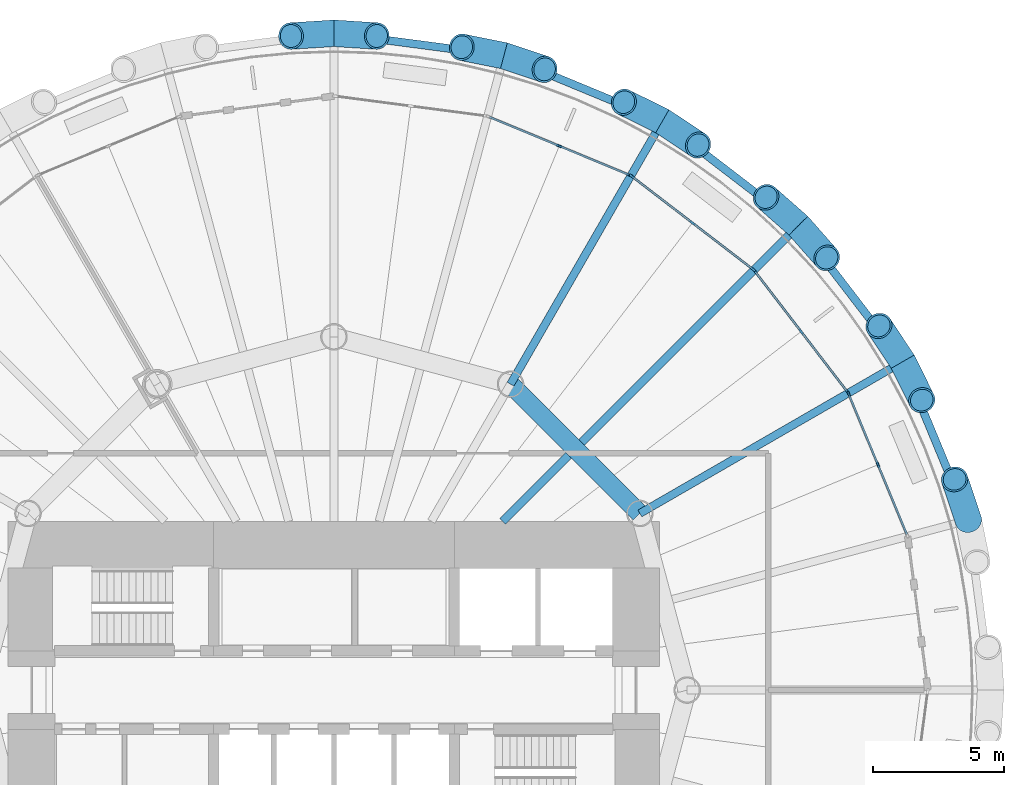
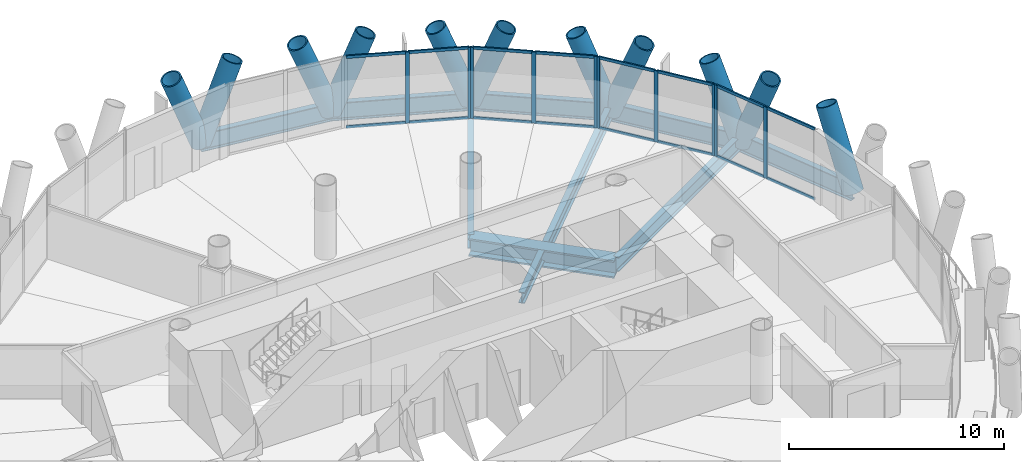
# One storey, part 6 of 14: 37 members, 10 beams, 4 elements without a shape of their own.
"""IFC4 building model written with IfcOpenShell, lengths in metres."""

from ifc_helpers import new_model, si_unit, direction, frame, origin, origin_2d, place, context, subcontext, project, spatial, rectangle, hollow_circle, i_section, extrude, material, material_profile, profile_set, type_object, element, aggregate, save


model = new_model("IFC4")

# Units and contexts
model_context = context("Model", 3, precision=1e-05, world=origin(), true_north=direction((0.0, 1.0)))
body_context = subcontext(model_context, "Body", "Model", "MODEL_VIEW")
ifc_project = project(units=[si_unit("LENGTHUNIT", "METRE"), si_unit("AREAUNIT", "SQUARE_METRE"), si_unit("VOLUMEUNIT", "CUBIC_METRE"), si_unit("PLANEANGLEUNIT", "RADIAN"), si_unit("MASSUNIT", "GRAM", prefix="KILO")], contexts=[model_context])

# Site, building, storey
site_placement = place(None, origin())
site = spatial("IfcSite", under=ifc_project, at=site_placement, CompositionType="ELEMENT")
building_placement = place(site_placement, origin())
building = spatial("IfcBuilding", under=site, at=building_placement, Name="Qaws Media Tower", CompositionType="ELEMENT")
storey_placement = place(building_placement, frame((0.0, 0.0, 126.800048828125)))
storey = spatial("IfcBuildingStorey", under=building, at=storey_placement, Name="L28", CompositionType="ELEMENT", Elevation=126.800048828125)

# Curtain wall, members
ifc_material_1 = material(Name="Aluminium and clear glass", Category="aluminium")
curtain_wall_type = type_object("IfcCurtainWallType", Name="Unitised curtain wall CW-B", PredefinedType="NOTDEFINED", material=ifc_material_1)
curtain_wall_1_placement = place(storey_placement, origin())
curtain_wall_1 = element("IfcCurtainWall", 1, at=curtain_wall_1_placement, inside=storey, type_object=curtain_wall_type, Name="CWB curtain wall L28-02", PredefinedType="NOTDEFINED")
ifc_material_2 = material(Name="Aluminium mullion", Category="aluminium")
ifc_material_profile_1 = material_profile(ifc_material_2, rectangle(XDim=0.080078125, YDim=0.199951171875, at=origin_2d()), Name="80x200")
ifc_profile_set_1 = profile_set([ifc_material_profile_1], Name="Aluminium mullion")
member_type_1 = type_object("IfcMemberType", Name="Curtain wall mullion 80x200", PredefinedType="MULLION", material=ifc_profile_set_1)
member_1_placement = place(storey_placement, frame((80.792724609375, 58.612548828125, 0.0), z_axis=(0.0, 0.0, 1.0), x_axis=(-0.923879575765, -0.382683327941, 0.0)))
member_1 = element("IfcMember", 2, at=member_1_placement, type_object=member_type_1, Name="CWB mullion 2", PredefinedType="MULLION", context=body_context, shape_type="SweptSolid", body=[
    extrude(rectangle(XDim=0.080078125, YDim=0.199951171875, at=origin_2d()), origin(), (0.0, 0.0, 1.0), 4.0400390625),
])
member_2_placement = place(storey_placement, frame((79.674072265625, 61.31298828125, 0.0), z_axis=(0.0, 0.0, 1.0), x_axis=(-0.923879575765, -0.382683327941, 0.0)))
member_2 = element("IfcMember", 3, at=member_2_placement, type_object=member_type_1, Name="CWB mullion 3", PredefinedType="MULLION", context=body_context, shape_type="SweptSolid", body=[
    extrude(rectangle(XDim=0.080078125, YDim=0.199951171875, at=origin_2d()), origin(), (0.0, 0.0, 1.0), 4.0400390625),
])

curtain_wall_2_placement = place(storey_placement, origin())
curtain_wall_2 = element("IfcCurtainWall", 4, at=curtain_wall_2_placement, inside=storey, type_object=curtain_wall_type, Name="CWB curtain wall L28-03", PredefinedType="NOTDEFINED")
member_3_placement = place(storey_placement, frame((79.634521484375, 61.3818359375, 0.0), z_axis=(0.0, 0.0, 1.0), x_axis=(-0.793353322718, -0.608761451911, 0.0)))
member_3 = element("IfcMember", 5, at=member_3_placement, type_object=member_type_1, Name="CWB mullion 1", PredefinedType="MULLION", context=body_context, shape_type="SweptSolid", body=[
    extrude(rectangle(XDim=0.080078125, YDim=0.199951171875, at=origin_2d()), origin(), (0.0, 0.0, 1.0), 4.0400390625),
])
member_4_placement = place(storey_placement, frame((77.85498046875, 63.70068359375, 0.0), z_axis=(0.0, 0.0, 1.0), x_axis=(-0.793353322718, -0.608761451911, 0.0)))
member_4 = element("IfcMember", 6, at=member_4_placement, type_object=member_type_1, Name="CWB mullion 2", PredefinedType="MULLION", context=body_context, shape_type="SweptSolid", body=[
    extrude(rectangle(XDim=0.080078125, YDim=0.199951171875, at=origin_2d()), origin(), (0.0, 0.0, 1.0), 4.0400390625),
])
member_5_placement = place(storey_placement, frame((76.07568359375, 66.01953125, 0.0), z_axis=(0.0, 0.0, 1.0), x_axis=(-0.793353322718, -0.608761451911, 0.0)))
member_5 = element("IfcMember", 7, at=member_5_placement, type_object=member_type_1, Name="CWB mullion 3", PredefinedType="MULLION", context=body_context, shape_type="SweptSolid", body=[
    extrude(rectangle(XDim=0.080078125, YDim=0.199951171875, at=origin_2d()), origin(), (0.0, 0.0, 1.0), 4.0400390625),
])

curtain_wall_3_placement = place(storey_placement, origin())
curtain_wall_3 = element("IfcCurtainWall", 8, at=curtain_wall_3_placement, inside=storey, type_object=curtain_wall_type, Name="CWB curtain wall L28-04", PredefinedType="NOTDEFINED")
member_6_placement = place(storey_placement, frame((76.01953125, 66.07568359375, 0.0), z_axis=(0.0, 0.0, 1.0), x_axis=(-0.608761451911, -0.793353322718, 0.0)))
member_6 = element("IfcMember", 9, at=member_6_placement, type_object=member_type_1, Name="CWB mullion 1", PredefinedType="MULLION", context=body_context, shape_type="SweptSolid", body=[
    extrude(rectangle(XDim=0.080078125, YDim=0.199951171875, at=origin_2d()), origin(), (0.0, 0.0, 1.0), 4.0400390625),
])
member_7_placement = place(storey_placement, frame((73.70068359375, 67.85498046875, 0.0), z_axis=(0.0, 0.0, 1.0), x_axis=(-0.608761451911, -0.793353322718, 0.0)))
member_7 = element("IfcMember", 10, at=member_7_placement, type_object=member_type_1, Name="CWB mullion 2", PredefinedType="MULLION", context=body_context, shape_type="SweptSolid", body=[
    extrude(rectangle(XDim=0.080078125, YDim=0.199951171875, at=origin_2d()), origin(), (0.0, 0.0, 1.0), 4.0400390625),
])
member_8_placement = place(storey_placement, frame((71.3818359375, 69.634521484375, 0.0), z_axis=(0.0, 0.0, 1.0), x_axis=(-0.608761451911, -0.793353322718, 0.0)))
member_8 = element("IfcMember", 11, at=member_8_placement, type_object=member_type_1, Name="CWB mullion 3", PredefinedType="MULLION", context=body_context, shape_type="SweptSolid", body=[
    extrude(rectangle(XDim=0.080078125, YDim=0.199951171875, at=origin_2d()), origin(), (0.0, 0.0, 1.0), 4.0400390625),
])

curtain_wall_4_placement = place(storey_placement, origin())
curtain_wall_4 = element("IfcCurtainWall", 12, at=curtain_wall_4_placement, inside=storey, type_object=curtain_wall_type, Name="CWB curtain wall L28-05", PredefinedType="NOTDEFINED")
member_9_placement = place(storey_placement, frame((71.31298828125, 69.674072265625, 0.0), z_axis=(0.0, 0.0, 1.0), x_axis=(-0.382683327941, -0.923879575765, 0.0)))
member_9 = element("IfcMember", 13, at=member_9_placement, type_object=member_type_1, Name="CWB mullion 1", PredefinedType="MULLION", context=body_context, shape_type="SweptSolid", body=[
    extrude(rectangle(XDim=0.080078125, YDim=0.199951171875, at=origin_2d()), origin(), (0.0, 0.0, 1.0), 4.0400390625),
])
member_10_placement = place(storey_placement, frame((68.612548828125, 70.792724609375, 0.0), z_axis=(0.0, 0.0, 1.0), x_axis=(-0.382683327941, -0.923879575765, 0.0)))
member_10 = element("IfcMember", 14, at=member_10_placement, type_object=member_type_1, Name="CWB mullion 2", PredefinedType="MULLION", context=body_context, shape_type="SweptSolid", body=[
    extrude(rectangle(XDim=0.080078125, YDim=0.199951171875, at=origin_2d()), origin(), (0.0, 0.0, 1.0), 4.0400390625),
])

# Member
ifc_material_3 = material(Name="Aluminium transom", Category="aluminium")
ifc_material_profile_2 = material_profile(ifc_material_3, rectangle(XDim=0.080078125, YDim=0.159912109375, at=origin_2d()), Name="80x160")
ifc_profile_set_2 = profile_set([ifc_material_profile_2], Name="Aluminium transom")
member_type_2 = type_object("IfcMemberType", Name="Curtain wall transom 80x160", PredefinedType="USERDEFINED", material=ifc_profile_set_2)
member_11_placement = place(storey_placement, frame((81.89599609375, 55.94921875, 0.0400390625), z_axis=(-0.382748704437, 0.923852493232, 0.0), x_axis=(-0.923852493232, -0.382748704437, 0.0)))
member_11 = element("IfcMember", 15, at=member_11_placement, type_object=member_type_2, Name="CWB transom 1.1", ObjectType="TRANSOM", PredefinedType="USERDEFINED", context=body_context, shape_type="SweptSolid", body=[
    extrude(rectangle(XDim=0.080078125, YDim=0.159912109375, at=origin_2d()), origin(), (0.0, 0.0, 1.0), 2.843017578125),
])

member_12_placement = place(storey_placement, frame((81.89599609375, 55.94921875, 4.0), z_axis=(-0.382748704437, 0.923852493232, 0.0), x_axis=(-0.923852493232, -0.382748704437, 0.0)))
member_12 = element("IfcMember", 16, at=member_12_placement, type_object=member_type_2, Name="CWB transom 1.2", ObjectType="TRANSOM", PredefinedType="USERDEFINED", context=body_context, shape_type="SweptSolid", body=[
    extrude(rectangle(XDim=0.080078125, YDim=0.159912109375, at=origin_2d()), origin(), (0.0, 0.0, 1.0), 2.843017578125),
])

member_13_placement = place(storey_placement, frame((80.77734375, 58.649658203125, 0.0400390625), z_axis=(-0.382675405483, 0.923882857314, 0.0), x_axis=(-0.923882857314, -0.382675405483, 0.0)))
member_13 = element("IfcMember", 17, at=member_13_placement, type_object=member_type_2, Name="CWB transom 2.1", ObjectType="TRANSOM", PredefinedType="USERDEFINED", context=body_context, shape_type="SweptSolid", body=[
    extrude(rectangle(XDim=0.080078125, YDim=0.159912109375, at=origin_2d()), origin(), (0.0, 0.0, 1.0), 2.8427734375),
])

member_14_placement = place(storey_placement, frame((80.77734375, 58.649658203125, 4.0), z_axis=(-0.382675405483, 0.923882857314, 0.0), x_axis=(-0.923882857314, -0.382675405483, 0.0)))
member_14 = element("IfcMember", 18, at=member_14_placement, type_object=member_type_2, Name="CWB transom 2.2", ObjectType="TRANSOM", PredefinedType="USERDEFINED", context=body_context, shape_type="SweptSolid", body=[
    extrude(rectangle(XDim=0.080078125, YDim=0.159912109375, at=origin_2d()), origin(), (0.0, 0.0, 1.0), 2.8427734375),
])

aggregate(curtain_wall_1, [member_1, member_2, member_11, member_12, member_13, member_14])

member_15_placement = place(storey_placement, frame((79.610107421875, 61.41357421875, 0.0400390625), z_axis=(-0.608784848689, 0.79333536919, 0.0), x_axis=(-0.79333536919, -0.608784848689, 0.0)))
member_15 = element("IfcMember", 19, at=member_15_placement, type_object=member_type_2, Name="CWB transom 1.1", ObjectType="TRANSOM", PredefinedType="USERDEFINED", context=body_context, shape_type="SweptSolid", body=[
    extrude(rectangle(XDim=0.080078125, YDim=0.159912109375, at=origin_2d()), origin(), (0.0, 0.0, 1.0), 2.843017578125),
])

member_16_placement = place(storey_placement, frame((79.610107421875, 61.41357421875, 4.0), z_axis=(-0.608784848689, 0.79333536919, 0.0), x_axis=(-0.79333536919, -0.608784848689, 0.0)))
member_16 = element("IfcMember", 20, at=member_16_placement, type_object=member_type_2, Name="CWB transom 1.2", ObjectType="TRANSOM", PredefinedType="USERDEFINED", context=body_context, shape_type="SweptSolid", body=[
    extrude(rectangle(XDim=0.080078125, YDim=0.159912109375, at=origin_2d()), origin(), (0.0, 0.0, 1.0), 2.843017578125),
])

member_17_placement = place(storey_placement, frame((77.830810546875, 63.732421875, 0.0400390625), z_axis=(-0.608784848689, 0.79333536919, 0.0), x_axis=(-0.79333536919, -0.608784848689, 0.0)))
member_17 = element("IfcMember", 21, at=member_17_placement, type_object=member_type_2, Name="CWB transom 2.1", ObjectType="TRANSOM", PredefinedType="USERDEFINED", context=body_context, shape_type="SweptSolid", body=[
    extrude(rectangle(XDim=0.080078125, YDim=0.159912109375, at=origin_2d()), origin(), (0.0, 0.0, 1.0), 2.843017578125),
])

member_18_placement = place(storey_placement, frame((77.830810546875, 63.732421875, 4.0), z_axis=(-0.608784848689, 0.79333536919, 0.0), x_axis=(-0.79333536919, -0.608784848689, 0.0)))
member_18 = element("IfcMember", 22, at=member_18_placement, type_object=member_type_2, Name="CWB transom 2.2", ObjectType="TRANSOM", PredefinedType="USERDEFINED", context=body_context, shape_type="SweptSolid", body=[
    extrude(rectangle(XDim=0.080078125, YDim=0.159912109375, at=origin_2d()), origin(), (0.0, 0.0, 1.0), 2.843017578125),
])

aggregate(curtain_wall_2, [member_3, member_4, member_5, member_15, member_16, member_17, member_18])

member_19_placement = place(storey_placement, frame((75.98779296875, 66.10009765625, 0.0400390625), z_axis=(-0.79333536919, 0.608784848689, 0.0), x_axis=(-0.608784848689, -0.79333536919, 0.0)))
member_19 = element("IfcMember", 23, at=member_19_placement, type_object=member_type_2, Name="CWB transom 1.1", ObjectType="TRANSOM", PredefinedType="USERDEFINED", context=body_context, shape_type="SweptSolid", body=[
    extrude(rectangle(XDim=0.080078125, YDim=0.159912109375, at=origin_2d()), origin(), (0.0, 0.0, 1.0), 2.843017578125),
])

member_20_placement = place(storey_placement, frame((75.98779296875, 66.10009765625, 4.0), z_axis=(-0.79333536919, 0.608784848689, 0.0), x_axis=(-0.608784848689, -0.79333536919, 0.0)))
member_20 = element("IfcMember", 24, at=member_20_placement, type_object=member_type_2, Name="CWB transom 1.2", ObjectType="TRANSOM", PredefinedType="USERDEFINED", context=body_context, shape_type="SweptSolid", body=[
    extrude(rectangle(XDim=0.080078125, YDim=0.159912109375, at=origin_2d()), origin(), (0.0, 0.0, 1.0), 2.843017578125),
])

member_21_placement = place(storey_placement, frame((73.6689453125, 67.87939453125, 0.0400390625), z_axis=(-0.79333536919, 0.608784848689, 0.0), x_axis=(-0.608784848689, -0.79333536919, 0.0)))
member_21 = element("IfcMember", 25, at=member_21_placement, type_object=member_type_2, Name="CWB transom 2.1", ObjectType="TRANSOM", PredefinedType="USERDEFINED", context=body_context, shape_type="SweptSolid", body=[
    extrude(rectangle(XDim=0.080078125, YDim=0.159912109375, at=origin_2d()), origin(), (0.0, 0.0, 1.0), 2.843017578125),
])

member_22_placement = place(storey_placement, frame((73.6689453125, 67.87939453125, 4.0), z_axis=(-0.79333536919, 0.608784848689, 0.0), x_axis=(-0.608784848689, -0.79333536919, 0.0)))
member_22 = element("IfcMember", 26, at=member_22_placement, type_object=member_type_2, Name="CWB transom 2.2", ObjectType="TRANSOM", PredefinedType="USERDEFINED", context=body_context, shape_type="SweptSolid", body=[
    extrude(rectangle(XDim=0.080078125, YDim=0.159912109375, at=origin_2d()), origin(), (0.0, 0.0, 1.0), 2.843017578125),
])

aggregate(curtain_wall_3, [member_6, member_7, member_8, member_19, member_20, member_21, member_22])

member_23_placement = place(storey_placement, frame((71.276123046875, 69.689453125, 0.0400390625), z_axis=(-0.923882857314, 0.382675405483, 0.0), x_axis=(-0.382675405483, -0.923882857314, 0.0)))
member_23 = element("IfcMember", 27, at=member_23_placement, type_object=member_type_2, Name="CWB transom 1.1", ObjectType="TRANSOM", PredefinedType="USERDEFINED", context=body_context, shape_type="SweptSolid", body=[
    extrude(rectangle(XDim=0.080078125, YDim=0.159912109375, at=origin_2d()), origin(), (0.0, 0.0, 1.0), 2.8427734375),
])

member_24_placement = place(storey_placement, frame((71.276123046875, 69.689453125, 4.0), z_axis=(-0.923882857314, 0.382675405483, 0.0), x_axis=(-0.382675405483, -0.923882857314, 0.0)))
member_24 = element("IfcMember", 28, at=member_24_placement, type_object=member_type_2, Name="CWB transom 1.2", ObjectType="TRANSOM", PredefinedType="USERDEFINED", context=body_context, shape_type="SweptSolid", body=[
    extrude(rectangle(XDim=0.080078125, YDim=0.159912109375, at=origin_2d()), origin(), (0.0, 0.0, 1.0), 2.8427734375),
])

member_25_placement = place(storey_placement, frame((68.57568359375, 70.807861328125, 0.0400390625), z_axis=(-0.923852493232, 0.382748704437, 0.0), x_axis=(-0.382748704437, -0.923852493232, 0.0)))
member_25 = element("IfcMember", 29, at=member_25_placement, type_object=member_type_2, Name="CWB transom 2.1", ObjectType="TRANSOM", PredefinedType="USERDEFINED", context=body_context, shape_type="SweptSolid", body=[
    extrude(rectangle(XDim=0.080078125, YDim=0.159912109375, at=origin_2d()), origin(), (0.0, 0.0, 1.0), 2.843017578125),
])

member_26_placement = place(storey_placement, frame((68.57568359375, 70.807861328125, 4.0), z_axis=(-0.923852493232, 0.382748704437, 0.0), x_axis=(-0.382748704437, -0.923852493232, 0.0)))
member_26 = element("IfcMember", 30, at=member_26_placement, type_object=member_type_2, Name="CWB transom 2.2", ObjectType="TRANSOM", PredefinedType="USERDEFINED", context=body_context, shape_type="SweptSolid", body=[
    extrude(rectangle(XDim=0.080078125, YDim=0.159912109375, at=origin_2d()), origin(), (0.0, 0.0, 1.0), 2.843017578125),
])

aggregate(curtain_wall_4, [member_9, member_10, member_23, member_24, member_25, member_26])

# Members
ifc_material_4 = material(Name="Steel S460", Category="steel")
ifc_material_profile_3 = material_profile(ifc_material_4, hollow_circle(Radius=0.508056640625, WallThickness=0.070068359375, at=origin_2d()), Name="CHS 1016x70")
ifc_profile_set_3 = profile_set([ifc_material_profile_3], Name="Steel S460")
member_type_3 = type_object("IfcMemberType", Name="Diagrid member CHS 1016x70", PredefinedType="USERDEFINED", material=ifc_profile_set_3)
for number, where, z_axis, x_axis, name in (
    (31, (84.24462890625, 56.496337890625, -0.6640625), (-0.11618670921, 0.34498681784, 0.931388610688), (-0.947697120321, -0.319171064063, 0.0), "DG3 diagrid L28 A02"),
    (32, (81.7373046875, 62.550048828125, -0.6640625), (-0.201566616131, 0.303134967423, 0.931386112623), (-0.832713242905, -0.553704483539, 0.0), "DG3 diagrid L28 A03"),
    (33, (81.7373046875, 62.550048828125, -0.6640625), (0.161718616773, -0.326144274336, 0.931384454083), (0.895909478639, 0.444236655494, 0.0), "DG3 diagrid L28 B03"),
    (34, (77.748291015625, 67.748291015625, -0.6640625), (-0.273140693896, 0.240656171332, 0.931385402794), (-0.661080385441, -0.750315083138, 0.0), "DG3 diagrid L28 A04"),
    (35, (77.748291015625, 67.748291015625, -0.6640625), (0.240656171332, -0.273140693896, 0.931385402794), (0.750315083138, 0.661080385441, 0.0), "DG3 diagrid L28 B04"),
    (36, (72.550048828125, 71.7373046875, -0.6640625), (-0.326144274336, 0.161718616773, 0.931384454083), (-0.444236655494, -0.895909478639, 0.0), "DG3 diagrid L28 A05"),
    (37, (72.550048828125, 71.7373046875, -0.6640625), (0.303134967423, -0.201566616131, 0.931386112623), (0.553704483539, 0.832713242905, 0.0), "DG3 diagrid L28 B05"),
    (38, (66.496337890625, 74.24462890625, -0.6640625), (-0.356893826491, 0.071844373142, 0.931378109395), (-0.197345745425, -0.980333951652, 0.0), "DG3 diagrid L28 A06"),
    (39, (66.496337890625, 74.24462890625, -0.6640625), (0.34498681784, -0.11618670921, 0.931388610688), (0.319171064063, 0.947697120321, 0.0), "DG3 diagrid L28 B06"),
):
    element("IfcMember", number, at=place(storey_placement, frame(where, z_axis=z_axis, x_axis=x_axis)), inside=storey, type_object=member_type_3, Name=name, ObjectType="DIAGRID", PredefinedType="USERDEFINED", context=body_context, shape_type="SweptSolid", body=[
        extrude(hollow_circle(Radius=0.508056640625, WallThickness=0.070068359375, at=origin_2d()), origin(), (0.0, 0.0, 1.0), 4.50927734375),
    ])
for number, where, z_axis, x_axis, name in (
    (40, (60.0, 75.10009765625, -0.6640625), (-0.363335073708, -0.023009597128, 0.931374351512), (0.063202252143, -0.99800073914, 0.0), "DG3 diagrid L28 A07"),
    (41, (60.0, 75.10009765625, -0.6640625), (0.363335073708, -0.023009597128, 0.931374351512), (0.063202252143, 0.99800073914, 0.0), "DG3 diagrid L28 B07"),
):
    element("IfcMember", number, at=place(storey_placement, frame(where, z_axis=z_axis, x_axis=x_axis)), inside=storey, type_object=member_type_3, Name=name, ObjectType="DIAGRID", PredefinedType="USERDEFINED", context=body_context, shape_type="SweptSolid", body=[
        extrude(hollow_circle(Radius=0.508056640625, WallThickness=0.070068359375, at=origin_2d()), origin(), (0.0, 0.0, 1.0), 4.509521484375),
    ])

# Beams
ifc_material_5 = material(Name="Steel S460", Category="steel")
ifc_material_profile_4 = material_profile(ifc_material_5, i_section(OverallWidth=0.302001953125, OverallDepth=1.008056640625, WebThickness=0.02099609375, FlangeThickness=0.0400390625, FilletRadius=0.030029296875, at=origin_2d()), Name="HE 1000 M")
ifc_profile_set_4 = profile_set([ifc_material_profile_4], Name="Steel S460")
beam_type_1 = type_object("IfcBeamType", Name="Edge ring beam HE 1000 M", PredefinedType="BEAM", material=ifc_profile_set_4)
for number, where, z_axis, x_axis, name in (
    (42, (84.24462890625, 56.496337890625, -0.6640625), (-0.382656733729, 0.923890590997, 0.0), (-0.923890590997, -0.382656733729, 0.0), "RB3 edge ring beam L28-02"),
    (43, (81.7373046875, 62.550048828125, -0.6640625), (-0.608786610398, 0.793334017296, 0.0), (-0.793334017296, -0.608786610398, 0.0), "RB3 edge ring beam L28-03"),
    (44, (77.748291015625, 67.748291015625, -0.6640625), (-0.793334017296, 0.608786610398, 0.0), (-0.608786610398, -0.793334017296, 0.0), "RB3 edge ring beam L28-04"),
    (45, (72.550048828125, 71.7373046875, -0.6640625), (-0.923890590997, 0.382656733729, 0.0), (-0.382656733729, -0.923890590997, 0.0), "RB3 edge ring beam L28-05"),
    (46, (66.496337890625, 74.24462890625, -0.6640625), (-0.991440720481, 0.130557641571, 0.0), (-0.130557641571, -0.991440720481, 0.0), "RB3 edge ring beam L28-06"),
):
    element("IfcBeam", number, at=place(storey_placement, frame(where, z_axis=z_axis, x_axis=x_axis)), inside=storey, type_object=beam_type_1, Name=name, PredefinedType="BEAM", context=body_context, shape_type="SweptSolid", body=[
        extrude(i_section(OverallWidth=0.302001953125, OverallDepth=1.008056640625, WebThickness=0.02099609375, FlangeThickness=0.0400390625, FilletRadius=0.030029296875, at=origin_2d()), origin(), (0.0, 0.0, 1.0), 6.552490234375),
    ])
ifc_material_6 = material(Name="Steel S460", Category="steel")
ifc_material_profile_5 = material_profile(ifc_material_6, i_section(OverallWidth=0.699951171875, OverallDepth=1.0, WebThickness=0.034912109375, FlangeThickness=0.090087890625, at=origin_2d()), Name="PG 1000x700")
ifc_profile_set_5 = profile_set([ifc_material_profile_5], Name="Steel S460")
beam_type_2 = type_object("IfcBeamType", Name="Inner ring girder PG 1000x700", PredefinedType="BEAM", material=ifc_profile_set_5)
beam_1_placement = place(storey_placement, frame((71.69140625, 56.75, -0.66015625), z_axis=(-0.707106781187, 0.707106781187, 0.0), x_axis=(-0.707106781187, -0.707106781187, 0.0)))
element("IfcBeam", 47, at=beam_1_placement, inside=storey, type_object=beam_type_2, Name="B3 inner ring beam L28 I02-I03", PredefinedType="BEAM", context=body_context, shape_type="SweptSolid", body=[
    extrude(i_section(OverallWidth=0.699951171875, OverallDepth=1.0, WebThickness=0.034912109375, FlangeThickness=0.090087890625, at=origin_2d()), origin(), (0.0, 0.0, 1.0), 6.98828125),
])
ifc_material_7 = material(Name="Steel S355", Category="steel")
ifc_material_profile_6 = material_profile(ifc_material_7, i_section(OverallWidth=0.304931640625, OverallDepth=0.6201171875, WebThickness=0.02099609375, FlangeThickness=0.0400390625, FilletRadius=0.027099609375, at=origin_2d()), Name="HE 600 M")
ifc_profile_set_6 = profile_set([ifc_material_profile_6], Name="Steel S355")
beam_type_3 = type_object("IfcBeamType", Name="Radial beam HE 600 M, core side", PredefinedType="BEAM", material=ifc_profile_set_6)
beam_2_placement = place(storey_placement, frame((66.449951171875, 56.449951171875, -0.469970703125), z_axis=(0.707106781187, 0.707106781187, 0.0), x_axis=(-0.707106781187, 0.707106781187, 0.0)))
element("IfcBeam", 48, at=beam_2_placement, inside=storey, type_object=beam_type_3, Name="B2 radial beam L28 04", PredefinedType="BEAM", context=body_context, shape_type="SweptSolid", body=[
    extrude(i_section(OverallWidth=0.304931640625, OverallDepth=0.6201171875, WebThickness=0.02099609375, FlangeThickness=0.0400390625, FilletRadius=0.027099609375, at=origin_2d()), origin(), (0.0, 0.0, 1.0), 3.568359375),
])
ifc_material_8 = material(Name="Steel S355", Category="steel")
ifc_material_profile_7 = material_profile(ifc_material_8, i_section(OverallWidth=0.300048828125, OverallDepth=0.800048828125, WebThickness=0.017578125, FlangeThickness=0.032958984375, FilletRadius=0.030029296875, at=origin_2d()), Name="HE 800 B")
ifc_profile_set_7 = profile_set([ifc_material_profile_7], Name="Steel S355")
beam_type_4 = type_object("IfcBeamType", Name="Radial beam HE 800 B", PredefinedType="BEAM", material=ifc_profile_set_7)
beam_3_placement = place(storey_placement, frame((71.69140625, 56.75, -0.56005859375), z_axis=(0.86602366199, 0.500003016864, 0.0), x_axis=(-0.500003016864, 0.86602366199, 0.0)))
element("IfcBeam", 49, at=beam_3_placement, inside=storey, type_object=beam_type_4, Name="B1 radial beam L28 03", PredefinedType="BEAM", context=body_context, shape_type="SweptSolid", body=[
    extrude(i_section(OverallWidth=0.300048828125, OverallDepth=0.800048828125, WebThickness=0.017578125, FlangeThickness=0.032958984375, FilletRadius=0.030029296875, at=origin_2d()), origin(), (0.0, 0.0, 1.0), 11.60009765625),
])
beam_4_placement = place(storey_placement, frame((69.46826171875, 59.46826171875, -0.56005859375), z_axis=(0.707106781187, 0.707106781187, 0.0), x_axis=(-0.707106781187, 0.707106781187, 0.0)))
element("IfcBeam", 50, at=beam_4_placement, inside=storey, type_object=beam_type_4, Name="B1 radial beam L28 04", PredefinedType="BEAM", context=body_context, shape_type="SweptSolid", body=[
    extrude(i_section(OverallWidth=0.300048828125, OverallDepth=0.800048828125, WebThickness=0.017578125, FlangeThickness=0.032958984375, FilletRadius=0.030029296875, at=origin_2d()), origin(), (0.0, 0.0, 1.0), 11.709716796875),
])
beam_5_placement = place(storey_placement, frame((66.75, 61.69140625, -0.56005859375), z_axis=(0.500003016864, 0.86602366199, 0.0), x_axis=(-0.86602366199, 0.500003016864, 0.0)))
element("IfcBeam", 51, at=beam_5_placement, inside=storey, type_object=beam_type_4, Name="B1 radial beam L28 05", PredefinedType="BEAM", context=body_context, shape_type="SweptSolid", body=[
    extrude(i_section(OverallWidth=0.300048828125, OverallDepth=0.800048828125, WebThickness=0.017578125, FlangeThickness=0.032958984375, FilletRadius=0.030029296875, at=origin_2d()), origin(), (0.0, 0.0, 1.0), 11.60009765625),
])

save(model, "model.ifc")
